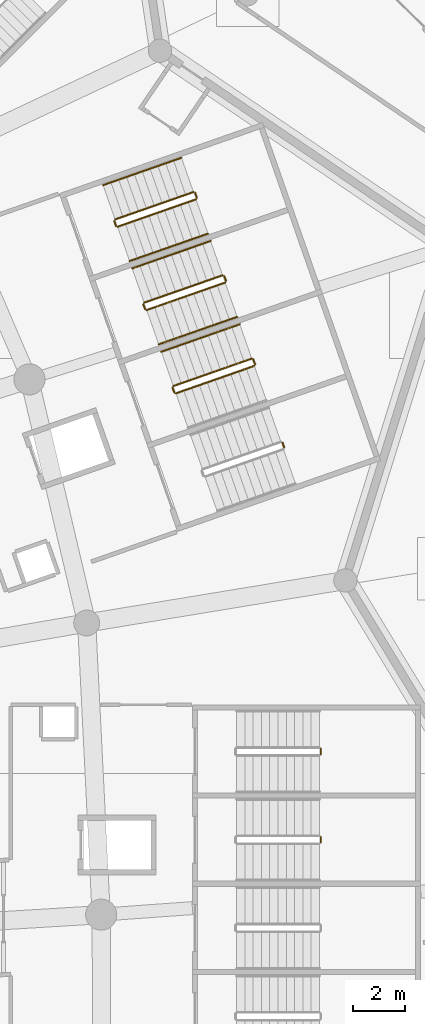
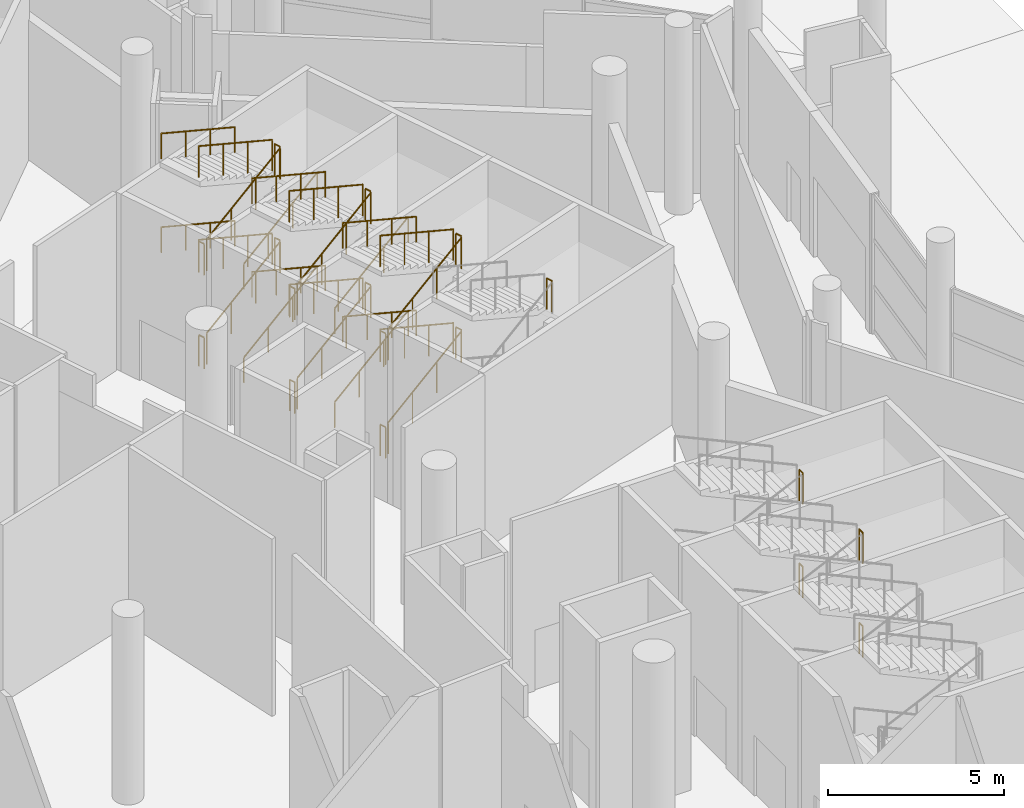
# One storey, part 245 of 255: 39 railings.
"""IFC4 building model written with IfcOpenShell, lengths in metres."""

from ifc_helpers import new_model, si_unit, direction, frame, origin, origin_2d, place, context, subcontext, project, spatial, circle, extrude, material, type_object, element, save


model = new_model("IFC4")

# Units and contexts
model_context = context("Model", 3, precision=1e-05, world=origin(), true_north=direction((0.0, 1.0)))
body_context = subcontext(model_context, "Body", "Model", "MODEL_VIEW")
ifc_project = project(units=[si_unit("LENGTHUNIT", "METRE"), si_unit("AREAUNIT", "SQUARE_METRE"), si_unit("VOLUMEUNIT", "CUBIC_METRE"), si_unit("PLANEANGLEUNIT", "RADIAN"), si_unit("MASSUNIT", "GRAM", prefix="KILO")], contexts=[model_context])

# Site, building, storey
site_placement = place(None, origin())
site = spatial("IfcSite", under=ifc_project, at=site_placement, CompositionType="ELEMENT")
building_placement = place(site_placement, origin())
building = spatial("IfcBuilding", under=site, at=building_placement, Name="Meseta Stadium", CompositionType="ELEMENT")
storey_placement = place(building_placement, origin())
storey = spatial("IfcBuildingStorey", under=building, at=storey_placement, Name="L00", CompositionType="ELEMENT", Elevation=0.0)

# Railings
ifc_material_1 = material(Name="Steel S355", Category="steel")
railing_type_1 = type_object("IfcRailingType", Name="Stair guard 1100", PredefinedType="GUARDRAIL", material=ifc_material_1)
for number, where, name in (
    (1, (93.35009765625, 45.35009765625, 1.625), "ST19 L00 guard 2"),
    (2, (93.35009765625, 45.35009765625, 4.875), "ST19 L00 guard 6"),
    (3, (93.35009765625, 48.75, 1.625), "ST20 L00 guard 2"),
    (4, (93.35009765625, 48.75, 4.875), "ST20 L00 guard 6"),
):
    element("IfcRailing", number, at=place(storey_placement, frame(where)), inside=storey, type_object=railing_type_1, Name=name, PredefinedType="GUARDRAIL", context=body_context, shape_type="SweptSolid", body=[
        extrude(circle(Radius=0.02392578125, at=origin_2d()), frame((0.0, 0.0, 1.076171875), z_axis=(0.0, 1.0, 0.0), x_axis=(-1.0, 0.0, 0.0)), (0.0, 0.0, 1.0), 0.199951171875),
        extrude(circle(Radius=0.02099609375, at=origin_2d()), origin(), (0.0, 0.0, 1.0), 1.052001953125),
        extrude(circle(Radius=0.02099609375, at=origin_2d()), frame((0.0, 0.199951171875, 0.0)), (0.0, 0.0, 1.0), 1.052001953125),
    ])
railing_1_placement = place(storey_placement, frame((91.9384765625, 60.5654296875, 4.875)))
element("IfcRailing", 5, at=railing_1_placement, inside=storey, type_object=railing_type_1, Name="ST21 L00 guard 6", PredefinedType="GUARDRAIL", context=body_context, shape_type="SweptSolid", body=[
    extrude(circle(Radius=0.02392578125, at=origin_2d()), frame((0.0, 0.0, 1.076171875), z_axis=(-0.330839792317, 0.943686935281, 0.0), x_axis=(-0.943686935281, -0.330839792317, 0.0)), (0.0, 0.0, 1.0), 0.199951171875),
    extrude(circle(Radius=0.02099609375, at=origin_2d()), origin(), (0.0, 0.0, 1.0), 1.052001953125),
    extrude(circle(Radius=0.02099609375, at=origin_2d()), frame((-0.066162109375, 0.188720703125, 0.0)), (0.0, 0.0, 1.0), 1.052001953125),
])
railing_2_placement = place(storey_placement, frame((87.764404296875, 62.654052734375, 0.147705078125)))
element("IfcRailing", 6, at=railing_2_placement, inside=storey, type_object=railing_type_1, Name="ST22 L00 guard 1", PredefinedType="GUARDRAIL", context=body_context, shape_type="SweptSolid", body=[
    extrude(circle(Radius=0.02392578125, at=origin_2d()), frame((0.0, 0.0, 1.076171875), z_axis=(0.856958151566, 0.299876472244, 0.419162054412), x_axis=(-0.330292648585, 0.943878576031, 0.0)), (0.0, 0.0, 1.0), 3.5244140625),
    extrude(circle(Radius=0.02099609375, at=origin_2d()), origin(), (0.0, 0.0, 1.0), 1.052001953125),
    extrude(circle(Radius=0.02099609375, at=origin_2d()), frame((1.0068359375, 0.352294921875, 0.492431640625)), (0.0, 0.0, 1.0), 1.052001953125),
    extrude(circle(Radius=0.02099609375, at=origin_2d()), frame((2.013427734375, 0.70458984375, 0.98486328125)), (0.0, 0.0, 1.0), 1.052001953125),
    extrude(circle(Radius=0.02099609375, at=origin_2d()), frame((3.020263671875, 1.056884765625, 1.477294921875)), (0.0, 0.0, 1.0), 1.052001953125),
])
railing_3_placement = place(storey_placement, frame((90.8154296875, 63.774658203125, 1.625)))
element("IfcRailing", 7, at=railing_3_placement, inside=storey, type_object=railing_type_1, Name="ST22 L00 guard 2", PredefinedType="GUARDRAIL", context=body_context, shape_type="SweptSolid", body=[
    extrude(circle(Radius=0.02392578125, at=origin_2d()), frame((0.0, 0.0, 1.076171875), z_axis=(-0.330839792317, 0.943686935281, 0.0), x_axis=(-0.943686935281, -0.330839792317, 0.0)), (0.0, 0.0, 1.0), 0.199951171875),
    extrude(circle(Radius=0.02099609375, at=origin_2d()), origin(), (0.0, 0.0, 1.0), 1.052001953125),
    extrude(circle(Radius=0.02099609375, at=origin_2d()), frame((-0.066162109375, 0.188720703125, 0.0)), (0.0, 0.0, 1.0), 1.052001953125),
])
railing_4_placement = place(storey_placement, frame((90.685791015625, 63.994140625, 1.772705078125)))
element("IfcRailing", 8, at=railing_4_placement, inside=storey, type_object=railing_type_1, Name="ST22 L00 guard 3", PredefinedType="GUARDRAIL", context=body_context, shape_type="SweptSolid", body=[
    extrude(circle(Radius=0.02392578125, at=origin_2d()), frame((0.0, 0.0, 1.076171875), z_axis=(-0.856976550022, -0.299858671601, 0.419137172986), x_axis=(0.330268863922, -0.943886898693, 0.0)), (0.0, 0.0, 1.0), 3.524658203125),
    extrude(circle(Radius=0.02099609375, at=origin_2d()), origin(), (0.0, 0.0, 1.0), 1.052001953125),
    extrude(circle(Radius=0.02099609375, at=origin_2d()), frame((-1.0068359375, -0.352294921875, 0.492431640625)), (0.0, 0.0, 1.0), 1.052001953125),
    extrude(circle(Radius=0.02099609375, at=origin_2d()), frame((-2.013671875, -0.70458984375, 0.98486328125)), (0.0, 0.0, 1.0), 1.052001953125),
    extrude(circle(Radius=0.02099609375, at=origin_2d()), frame((-3.0205078125, -1.056884765625, 1.477294921875)), (0.0, 0.0, 1.0), 1.052001953125),
])
railing_5_placement = place(storey_placement, frame((87.70068359375, 62.6845703125, 3.25)))
element("IfcRailing", 9, at=railing_5_placement, inside=storey, type_object=railing_type_1, Name="ST22 L00 guard 4", PredefinedType="GUARDRAIL", context=body_context, shape_type="SweptSolid", body=[
    extrude(circle(Radius=0.02392578125, at=origin_2d()), frame((0.0, 0.0, 1.076171875), z_axis=(-0.330459055601, 0.943820328543, 0.0), x_axis=(-0.943820328543, -0.330459055601, 0.0)), (0.0, 0.0, 1.0), 0.2001953125),
    extrude(circle(Radius=0.02099609375, at=origin_2d()), origin(), (0.0, 0.0, 1.0), 1.052001953125),
    extrude(circle(Radius=0.02099609375, at=origin_2d()), frame((-0.066162109375, 0.18896484375, 0.0)), (0.0, 0.0, 1.0), 1.052001953125),
])
railing_6_placement = place(storey_placement, frame((87.764404296875, 62.654052734375, 3.397705078125)))
element("IfcRailing", 10, at=railing_6_placement, inside=storey, type_object=railing_type_1, Name="ST22 L00 guard 5", PredefinedType="GUARDRAIL", context=body_context, shape_type="SweptSolid", body=[
    extrude(circle(Radius=0.02392578125, at=origin_2d()), frame((0.0, 0.0, 1.076171875), z_axis=(0.856958151566, 0.299876472244, 0.419162054412), x_axis=(-0.330292648585, 0.943878576031, 0.0)), (0.0, 0.0, 1.0), 3.5244140625),
    extrude(circle(Radius=0.02099609375, at=origin_2d()), origin(), (0.0, 0.0, 1.0), 1.052001953125),
    extrude(circle(Radius=0.02099609375, at=origin_2d()), frame((1.0068359375, 0.352294921875, 0.492431640625)), (0.0, 0.0, 1.0), 1.052001953125),
    extrude(circle(Radius=0.02099609375, at=origin_2d()), frame((2.013427734375, 0.70458984375, 0.98486328125)), (0.0, 0.0, 1.0), 1.052001953125),
    extrude(circle(Radius=0.02099609375, at=origin_2d()), frame((3.020263671875, 1.056884765625, 1.477294921875)), (0.0, 0.0, 1.0), 1.052001953125),
])
railing_7_placement = place(storey_placement, frame((90.8154296875, 63.774658203125, 4.875)))
element("IfcRailing", 11, at=railing_7_placement, inside=storey, type_object=railing_type_1, Name="ST22 L00 guard 6", PredefinedType="GUARDRAIL", context=body_context, shape_type="SweptSolid", body=[
    extrude(circle(Radius=0.02392578125, at=origin_2d()), frame((0.0, 0.0, 1.076171875), z_axis=(-0.330839792317, 0.943686935281, 0.0), x_axis=(-0.943686935281, -0.330839792317, 0.0)), (0.0, 0.0, 1.0), 0.199951171875),
    extrude(circle(Radius=0.02099609375, at=origin_2d()), origin(), (0.0, 0.0, 1.0), 1.052001953125),
    extrude(circle(Radius=0.02099609375, at=origin_2d()), frame((-0.066162109375, 0.188720703125, 0.0)), (0.0, 0.0, 1.0), 1.052001953125),
])
railing_8_placement = place(storey_placement, frame((90.685791015625, 63.994140625, 5.022705078125)))
element("IfcRailing", 12, at=railing_8_placement, inside=storey, type_object=railing_type_1, Name="ST22 L00 guard 7", PredefinedType="GUARDRAIL", context=body_context, shape_type="SweptSolid", body=[
    extrude(circle(Radius=0.02392578125, at=origin_2d()), frame((0.0, 0.0, 1.076171875), z_axis=(-0.856976550022, -0.299858671601, 0.419137172986), x_axis=(0.330268863922, -0.943886898693, 0.0)), (0.0, 0.0, 1.0), 3.524658203125),
    extrude(circle(Radius=0.02099609375, at=origin_2d()), origin(), (0.0, 0.0, 1.0), 1.052001953125),
    extrude(circle(Radius=0.02099609375, at=origin_2d()), frame((-1.0068359375, -0.352294921875, 0.492431640625)), (0.0, 0.0, 1.0), 1.052001953125),
    extrude(circle(Radius=0.02099609375, at=origin_2d()), frame((-2.013671875, -0.70458984375, 0.98486328125)), (0.0, 0.0, 1.0), 1.052001953125),
    extrude(circle(Radius=0.02099609375, at=origin_2d()), frame((-3.0205078125, -1.056884765625, 1.477294921875)), (0.0, 0.0, 1.0), 1.052001953125),
])
railing_9_placement = place(storey_placement, frame((87.70068359375, 62.6845703125, 0.0)))
element("IfcRailing", 13, at=railing_9_placement, inside=storey, type_object=railing_type_1, Name="ST22 L00 guard 8", PredefinedType="GUARDRAIL", context=body_context, shape_type="SweptSolid", body=[
    extrude(circle(Radius=0.02392578125, at=origin_2d()), frame((0.0, 0.0, 1.076171875), z_axis=(-0.330459055601, 0.943820328543, 0.0), x_axis=(-0.943820328543, -0.330459055601, 0.0)), (0.0, 0.0, 1.0), 0.2001953125),
    extrude(circle(Radius=0.02099609375, at=origin_2d()), origin(), (0.0, 0.0, 1.0), 1.052001953125),
    extrude(circle(Radius=0.02099609375, at=origin_2d()), frame((-0.066162109375, 0.18896484375, 0.0)), (0.0, 0.0, 1.0), 1.052001953125),
])
railing_10_placement = place(storey_placement, frame((86.641357421875, 65.86328125, 0.147705078125)))
element("IfcRailing", 14, at=railing_10_placement, inside=storey, type_object=railing_type_1, Name="ST23 L00 guard 1", PredefinedType="GUARDRAIL", context=body_context, shape_type="SweptSolid", body=[
    extrude(circle(Radius=0.02392578125, at=origin_2d()), frame((0.0, 0.0, 1.076171875), z_axis=(0.856976550022, 0.299858671601, 0.419137172986), x_axis=(-0.330268863922, 0.943886898693, 0.0)), (0.0, 0.0, 1.0), 3.524658203125),
    extrude(circle(Radius=0.02099609375, at=origin_2d()), origin(), (0.0, 0.0, 1.0), 1.052001953125),
    extrude(circle(Radius=0.02099609375, at=origin_2d()), frame((1.0068359375, 0.352294921875, 0.492431640625)), (0.0, 0.0, 1.0), 1.052001953125),
    extrude(circle(Radius=0.02099609375, at=origin_2d()), frame((2.013671875, 0.70458984375, 0.98486328125)), (0.0, 0.0, 1.0), 1.052001953125),
    extrude(circle(Radius=0.02099609375, at=origin_2d()), frame((3.0205078125, 1.056884765625, 1.477294921875)), (0.0, 0.0, 1.0), 1.052001953125),
])
railing_11_placement = place(storey_placement, frame((89.6923828125, 66.98388671875, 1.625)))
element("IfcRailing", 15, at=railing_11_placement, inside=storey, type_object=railing_type_1, Name="ST23 L00 guard 2", PredefinedType="GUARDRAIL", context=body_context, shape_type="SweptSolid", body=[
    extrude(circle(Radius=0.02392578125, at=origin_2d()), frame((0.0, 0.0, 1.076171875), z_axis=(-0.329751946816, 0.944067610699, 0.0), x_axis=(-0.944067610699, -0.329751946816, 0.0)), (0.0, 0.0, 1.0), 0.199951171875),
    extrude(circle(Radius=0.02099609375, at=origin_2d()), origin(), (0.0, 0.0, 1.0), 1.052001953125),
    extrude(circle(Radius=0.02099609375, at=origin_2d()), frame((-0.06591796875, 0.188720703125, 0.0)), (0.0, 0.0, 1.0), 1.052001953125),
])
railing_12_placement = place(storey_placement, frame((89.562744140625, 67.203125, 1.772705078125)))
element("IfcRailing", 16, at=railing_12_placement, inside=storey, type_object=railing_type_1, Name="ST23 L00 guard 3", PredefinedType="GUARDRAIL", context=body_context, shape_type="SweptSolid", body=[
    extrude(circle(Radius=0.02392578125, at=origin_2d()), frame((0.0, 0.0, 1.076171875), z_axis=(-0.856976550022, -0.299858671601, 0.419137172986), x_axis=(0.330268863922, -0.943886898693, 0.0)), (0.0, 0.0, 1.0), 3.524658203125),
    extrude(circle(Radius=0.02099609375, at=origin_2d()), origin(), (0.0, 0.0, 1.0), 1.052001953125),
    extrude(circle(Radius=0.02099609375, at=origin_2d()), frame((-1.0068359375, -0.352294921875, 0.492431640625)), (0.0, 0.0, 1.0), 1.052001953125),
    extrude(circle(Radius=0.02099609375, at=origin_2d()), frame((-2.013671875, -0.70458984375, 0.98486328125)), (0.0, 0.0, 1.0), 1.052001953125),
    extrude(circle(Radius=0.02099609375, at=origin_2d()), frame((-3.0205078125, -1.056884765625, 1.477294921875)), (0.0, 0.0, 1.0), 1.052001953125),
])
railing_13_placement = place(storey_placement, frame((86.57763671875, 65.893798828125, 3.25)))
element("IfcRailing", 17, at=railing_13_placement, inside=storey, type_object=railing_type_1, Name="ST23 L00 guard 4", PredefinedType="GUARDRAIL", context=body_context, shape_type="SweptSolid", body=[
    extrude(circle(Radius=0.02392578125, at=origin_2d()), frame((0.0, 0.0, 1.076171875), z_axis=(-0.329372156318, 0.944200181446, 0.0), x_axis=(-0.944200181446, -0.329372156318, 0.0)), (0.0, 0.0, 1.0), 0.2001953125),
    extrude(circle(Radius=0.02099609375, at=origin_2d()), origin(), (0.0, 0.0, 1.0), 1.052001953125),
    extrude(circle(Radius=0.02099609375, at=origin_2d()), frame((-0.06591796875, 0.18896484375, 0.0)), (0.0, 0.0, 1.0), 1.052001953125),
])
railing_14_placement = place(storey_placement, frame((86.641357421875, 65.86328125, 3.397705078125)))
element("IfcRailing", 18, at=railing_14_placement, inside=storey, type_object=railing_type_1, Name="ST23 L00 guard 5", PredefinedType="GUARDRAIL", context=body_context, shape_type="SweptSolid", body=[
    extrude(circle(Radius=0.02392578125, at=origin_2d()), frame((0.0, 0.0, 1.076171875), z_axis=(0.856976550022, 0.299858671601, 0.419137172986), x_axis=(-0.330268863922, 0.943886898693, 0.0)), (0.0, 0.0, 1.0), 3.524658203125),
    extrude(circle(Radius=0.02099609375, at=origin_2d()), origin(), (0.0, 0.0, 1.0), 1.052001953125),
    extrude(circle(Radius=0.02099609375, at=origin_2d()), frame((1.0068359375, 0.352294921875, 0.492431640625)), (0.0, 0.0, 1.0), 1.052001953125),
    extrude(circle(Radius=0.02099609375, at=origin_2d()), frame((2.013671875, 0.70458984375, 0.98486328125)), (0.0, 0.0, 1.0), 1.052001953125),
    extrude(circle(Radius=0.02099609375, at=origin_2d()), frame((3.0205078125, 1.056884765625, 1.477294921875)), (0.0, 0.0, 1.0), 1.052001953125),
])
railing_15_placement = place(storey_placement, frame((89.6923828125, 66.98388671875, 4.875)))
element("IfcRailing", 19, at=railing_15_placement, inside=storey, type_object=railing_type_1, Name="ST23 L00 guard 6", PredefinedType="GUARDRAIL", context=body_context, shape_type="SweptSolid", body=[
    extrude(circle(Radius=0.02392578125, at=origin_2d()), frame((0.0, 0.0, 1.076171875), z_axis=(-0.329751946816, 0.944067610699, 0.0), x_axis=(-0.944067610699, -0.329751946816, 0.0)), (0.0, 0.0, 1.0), 0.199951171875),
    extrude(circle(Radius=0.02099609375, at=origin_2d()), origin(), (0.0, 0.0, 1.0), 1.052001953125),
    extrude(circle(Radius=0.02099609375, at=origin_2d()), frame((-0.06591796875, 0.188720703125, 0.0)), (0.0, 0.0, 1.0), 1.052001953125),
])
railing_16_placement = place(storey_placement, frame((89.562744140625, 67.203125, 5.022705078125)))
element("IfcRailing", 20, at=railing_16_placement, inside=storey, type_object=railing_type_1, Name="ST23 L00 guard 7", PredefinedType="GUARDRAIL", context=body_context, shape_type="SweptSolid", body=[
    extrude(circle(Radius=0.02392578125, at=origin_2d()), frame((0.0, 0.0, 1.076171875), z_axis=(-0.856976550022, -0.299858671601, 0.419137172986), x_axis=(0.330268863922, -0.943886898693, 0.0)), (0.0, 0.0, 1.0), 3.524658203125),
    extrude(circle(Radius=0.02099609375, at=origin_2d()), origin(), (0.0, 0.0, 1.0), 1.052001953125),
    extrude(circle(Radius=0.02099609375, at=origin_2d()), frame((-1.0068359375, -0.352294921875, 0.492431640625)), (0.0, 0.0, 1.0), 1.052001953125),
    extrude(circle(Radius=0.02099609375, at=origin_2d()), frame((-2.013671875, -0.70458984375, 0.98486328125)), (0.0, 0.0, 1.0), 1.052001953125),
    extrude(circle(Radius=0.02099609375, at=origin_2d()), frame((-3.0205078125, -1.056884765625, 1.477294921875)), (0.0, 0.0, 1.0), 1.052001953125),
])
railing_17_placement = place(storey_placement, frame((86.57763671875, 65.893798828125, 0.0)))
element("IfcRailing", 21, at=railing_17_placement, inside=storey, type_object=railing_type_1, Name="ST23 L00 guard 8", PredefinedType="GUARDRAIL", context=body_context, shape_type="SweptSolid", body=[
    extrude(circle(Radius=0.02392578125, at=origin_2d()), frame((0.0, 0.0, 1.076171875), z_axis=(-0.329372156318, 0.944200181446, 0.0), x_axis=(-0.944200181446, -0.329372156318, 0.0)), (0.0, 0.0, 1.0), 0.2001953125),
    extrude(circle(Radius=0.02099609375, at=origin_2d()), origin(), (0.0, 0.0, 1.0), 1.052001953125),
    extrude(circle(Radius=0.02099609375, at=origin_2d()), frame((-0.06591796875, 0.18896484375, 0.0)), (0.0, 0.0, 1.0), 1.052001953125),
])
railing_18_placement = place(storey_placement, frame((85.518310546875, 69.072509765625, 0.147705078125)))
element("IfcRailing", 22, at=railing_18_placement, inside=storey, type_object=railing_type_1, Name="ST24 L00 guard 1", PredefinedType="GUARDRAIL", context=body_context, shape_type="SweptSolid", body=[
    extrude(circle(Radius=0.02392578125, at=origin_2d()), frame((0.0, 0.0, 1.076171875), z_axis=(0.856976550022, 0.299858671601, 0.419137172986), x_axis=(-0.330268863922, 0.943886898693, 0.0)), (0.0, 0.0, 1.0), 3.524658203125),
    extrude(circle(Radius=0.02099609375, at=origin_2d()), origin(), (0.0, 0.0, 1.0), 1.052001953125),
    extrude(circle(Radius=0.02099609375, at=origin_2d()), frame((1.0068359375, 0.352294921875, 0.492431640625)), (0.0, 0.0, 1.0), 1.052001953125),
    extrude(circle(Radius=0.02099609375, at=origin_2d()), frame((2.013671875, 0.70458984375, 0.98486328125)), (0.0, 0.0, 1.0), 1.052001953125),
    extrude(circle(Radius=0.02099609375, at=origin_2d()), frame((3.0205078125, 1.056884765625, 1.477294921875)), (0.0, 0.0, 1.0), 1.052001953125),
])
railing_19_placement = place(storey_placement, frame((88.569580078125, 70.19287109375, 1.625)))
element("IfcRailing", 23, at=railing_19_placement, inside=storey, type_object=railing_type_1, Name="ST24 L00 guard 2", PredefinedType="GUARDRAIL", context=body_context, shape_type="SweptSolid", body=[
    extrude(circle(Radius=0.02392578125, at=origin_2d()), frame((0.0, 0.0, 1.076171875), z_axis=(-0.330459055601, 0.943820328543, 0.0), x_axis=(-0.943820328543, -0.330459055601, 0.0)), (0.0, 0.0, 1.0), 0.2001953125),
    extrude(circle(Radius=0.02099609375, at=origin_2d()), origin(), (0.0, 0.0, 1.0), 1.052001953125),
    extrude(circle(Radius=0.02099609375, at=origin_2d()), frame((-0.066162109375, 0.18896484375, 0.0)), (0.0, 0.0, 1.0), 1.052001953125),
])
railing_20_placement = place(storey_placement, frame((88.439697265625, 70.412353515625, 1.772705078125)))
element("IfcRailing", 24, at=railing_20_placement, inside=storey, type_object=railing_type_1, Name="ST24 L00 guard 3", PredefinedType="GUARDRAIL", context=body_context, shape_type="SweptSolid", body=[
    extrude(circle(Radius=0.02392578125, at=origin_2d()), frame((0.0, 0.0, 1.076171875), z_axis=(-0.856958151566, -0.299876472244, 0.419162054412), x_axis=(0.330292648585, -0.943878576031, 0.0)), (0.0, 0.0, 1.0), 3.5244140625),
    extrude(circle(Radius=0.02099609375, at=origin_2d()), origin(), (0.0, 0.0, 1.0), 1.052001953125),
    extrude(circle(Radius=0.02099609375, at=origin_2d()), frame((-1.0068359375, -0.352294921875, 0.492431640625)), (0.0, 0.0, 1.0), 1.052001953125),
    extrude(circle(Radius=0.02099609375, at=origin_2d()), frame((-2.013427734375, -0.70458984375, 0.98486328125)), (0.0, 0.0, 1.0), 1.052001953125),
    extrude(circle(Radius=0.02099609375, at=origin_2d()), frame((-3.020263671875, -1.056884765625, 1.477294921875)), (0.0, 0.0, 1.0), 1.052001953125),
])
railing_21_placement = place(storey_placement, frame((85.454833984375, 69.10302734375, 3.25)))
element("IfcRailing", 25, at=railing_21_placement, inside=storey, type_object=railing_type_1, Name="ST24 L00 guard 4", PredefinedType="GUARDRAIL", context=body_context, shape_type="SweptSolid", body=[
    extrude(circle(Radius=0.02392578125, at=origin_2d()), frame((0.0, 0.0, 1.076171875), z_axis=(-0.330839792317, 0.943686935281, 0.0), x_axis=(-0.943686935281, -0.330839792317, 0.0)), (0.0, 0.0, 1.0), 0.199951171875),
    extrude(circle(Radius=0.02099609375, at=origin_2d()), origin(), (0.0, 0.0, 1.0), 1.052001953125),
    extrude(circle(Radius=0.02099609375, at=origin_2d()), frame((-0.066162109375, 0.188720703125, 0.0)), (0.0, 0.0, 1.0), 1.052001953125),
])
railing_22_placement = place(storey_placement, frame((85.518310546875, 69.072509765625, 3.397705078125)))
element("IfcRailing", 26, at=railing_22_placement, inside=storey, type_object=railing_type_1, Name="ST24 L00 guard 5", PredefinedType="GUARDRAIL", context=body_context, shape_type="SweptSolid", body=[
    extrude(circle(Radius=0.02392578125, at=origin_2d()), frame((0.0, 0.0, 1.076171875), z_axis=(0.856976550022, 0.299858671601, 0.419137172986), x_axis=(-0.330268863922, 0.943886898693, 0.0)), (0.0, 0.0, 1.0), 3.524658203125),
    extrude(circle(Radius=0.02099609375, at=origin_2d()), origin(), (0.0, 0.0, 1.0), 1.052001953125),
    extrude(circle(Radius=0.02099609375, at=origin_2d()), frame((1.0068359375, 0.352294921875, 0.492431640625)), (0.0, 0.0, 1.0), 1.052001953125),
    extrude(circle(Radius=0.02099609375, at=origin_2d()), frame((2.013671875, 0.70458984375, 0.98486328125)), (0.0, 0.0, 1.0), 1.052001953125),
    extrude(circle(Radius=0.02099609375, at=origin_2d()), frame((3.0205078125, 1.056884765625, 1.477294921875)), (0.0, 0.0, 1.0), 1.052001953125),
])
railing_23_placement = place(storey_placement, frame((88.569580078125, 70.19287109375, 4.875)))
element("IfcRailing", 27, at=railing_23_placement, inside=storey, type_object=railing_type_1, Name="ST24 L00 guard 6", PredefinedType="GUARDRAIL", context=body_context, shape_type="SweptSolid", body=[
    extrude(circle(Radius=0.02392578125, at=origin_2d()), frame((0.0, 0.0, 1.076171875), z_axis=(-0.330459055601, 0.943820328543, 0.0), x_axis=(-0.943820328543, -0.330459055601, 0.0)), (0.0, 0.0, 1.0), 0.2001953125),
    extrude(circle(Radius=0.02099609375, at=origin_2d()), origin(), (0.0, 0.0, 1.0), 1.052001953125),
    extrude(circle(Radius=0.02099609375, at=origin_2d()), frame((-0.066162109375, 0.18896484375, 0.0)), (0.0, 0.0, 1.0), 1.052001953125),
])
railing_24_placement = place(storey_placement, frame((88.439697265625, 70.412353515625, 5.022705078125)))
element("IfcRailing", 28, at=railing_24_placement, inside=storey, type_object=railing_type_1, Name="ST24 L00 guard 7", PredefinedType="GUARDRAIL", context=body_context, shape_type="SweptSolid", body=[
    extrude(circle(Radius=0.02392578125, at=origin_2d()), frame((0.0, 0.0, 1.076171875), z_axis=(-0.856958151566, -0.299876472244, 0.419162054412), x_axis=(0.330292648585, -0.943878576031, 0.0)), (0.0, 0.0, 1.0), 3.5244140625),
    extrude(circle(Radius=0.02099609375, at=origin_2d()), origin(), (0.0, 0.0, 1.0), 1.052001953125),
    extrude(circle(Radius=0.02099609375, at=origin_2d()), frame((-1.0068359375, -0.352294921875, 0.492431640625)), (0.0, 0.0, 1.0), 1.052001953125),
    extrude(circle(Radius=0.02099609375, at=origin_2d()), frame((-2.013427734375, -0.70458984375, 0.98486328125)), (0.0, 0.0, 1.0), 1.052001953125),
    extrude(circle(Radius=0.02099609375, at=origin_2d()), frame((-3.020263671875, -1.056884765625, 1.477294921875)), (0.0, 0.0, 1.0), 1.052001953125),
])
railing_25_placement = place(storey_placement, frame((85.454833984375, 69.10302734375, 0.0)))
element("IfcRailing", 29, at=railing_25_placement, inside=storey, type_object=railing_type_1, Name="ST24 L00 guard 8", PredefinedType="GUARDRAIL", context=body_context, shape_type="SweptSolid", body=[
    extrude(circle(Radius=0.02392578125, at=origin_2d()), frame((0.0, 0.0, 1.076171875), z_axis=(-0.330839792317, 0.943686935281, 0.0), x_axis=(-0.943686935281, -0.330839792317, 0.0)), (0.0, 0.0, 1.0), 0.199951171875),
    extrude(circle(Radius=0.02099609375, at=origin_2d()), origin(), (0.0, 0.0, 1.0), 1.052001953125),
    extrude(circle(Radius=0.02099609375, at=origin_2d()), frame((-0.066162109375, 0.188720703125, 0.0)), (0.0, 0.0, 1.0), 1.052001953125),
])
ifc_material_2 = material(Name="Steel S355", Category="steel")
railing_type_2 = type_object("IfcRailingType", Name="Stair handrail 900", PredefinedType="HANDRAIL", material=ifc_material_2)
for number, where, name in (
    (30, (90.223388671875, 65.3154296875, 1.772705078125), "ST22 L00 handrail 2"),
    (31, (90.223388671875, 65.3154296875, 5.022705078125), "ST22 L00 handrail 4"),
):
    element("IfcRailing", number, at=place(storey_placement, frame(where)), inside=storey, type_object=railing_type_2, Name=name, PredefinedType="HANDRAIL", context=body_context, shape_type="SweptSolid", body=[
        extrude(circle(Radius=0.02392578125, at=origin_2d()), frame((0.0, 0.0, 0.8759765625), z_axis=(-0.856976550022, -0.299858671601, 0.419137172986), x_axis=(0.330268863922, -0.943886898693, 0.0)), (0.0, 0.0, 1.0), 3.524658203125),
        extrude(circle(Radius=0.02099609375, at=origin_2d()), origin(), (0.0, 0.0, 1.0), 0.851806640625),
        extrude(circle(Radius=0.02099609375, at=origin_2d()), frame((-1.0068359375, -0.352294921875, 0.492431640625)), (0.0, 0.0, 1.0), 0.851806640625),
        extrude(circle(Radius=0.02099609375, at=origin_2d()), frame((-2.013671875, -0.70458984375, 0.98486328125)), (0.0, 0.0, 1.0), 0.851806640625),
        extrude(circle(Radius=0.02099609375, at=origin_2d()), frame((-3.0205078125, -1.056884765625, 1.477294921875)), (0.0, 0.0, 1.0), 0.851806640625),
    ])
railing_26_placement = place(storey_placement, frame((87.103759765625, 64.541748046875, 0.147705078125)))
element("IfcRailing", 32, at=railing_26_placement, inside=storey, type_object=railing_type_2, Name="ST23 L00 handrail 1", PredefinedType="HANDRAIL", context=body_context, shape_type="SweptSolid", body=[
    extrude(circle(Radius=0.02392578125, at=origin_2d()), frame((0.0, 0.0, 0.8759765625), z_axis=(0.856976550022, 0.299858671601, 0.419137172986), x_axis=(-0.330268863922, 0.943886898693, 0.0)), (0.0, 0.0, 1.0), 3.524658203125),
    extrude(circle(Radius=0.02099609375, at=origin_2d()), origin(), (0.0, 0.0, 1.0), 0.851806640625),
    extrude(circle(Radius=0.02099609375, at=origin_2d()), frame((1.0068359375, 0.352294921875, 0.492431640625)), (0.0, 0.0, 1.0), 0.851806640625),
    extrude(circle(Radius=0.02099609375, at=origin_2d()), frame((2.013671875, 0.70458984375, 0.98486328125)), (0.0, 0.0, 1.0), 0.851806640625),
    extrude(circle(Radius=0.02099609375, at=origin_2d()), frame((3.0205078125, 1.056884765625, 1.477294921875)), (0.0, 0.0, 1.0), 0.851806640625),
])
railing_27_placement = place(storey_placement, frame((89.100341796875, 68.524658203125, 1.772705078125)))
element("IfcRailing", 33, at=railing_27_placement, inside=storey, type_object=railing_type_2, Name="ST23 L00 handrail 2", PredefinedType="HANDRAIL", context=body_context, shape_type="SweptSolid", body=[
    extrude(circle(Radius=0.02392578125, at=origin_2d()), frame((0.0, 0.0, 0.8759765625), z_axis=(-0.856976550022, -0.299858671601, 0.419137172986), x_axis=(0.330268863922, -0.943886898693, 0.0)), (0.0, 0.0, 1.0), 3.524658203125),
    extrude(circle(Radius=0.02099609375, at=origin_2d()), origin(), (0.0, 0.0, 1.0), 0.851806640625),
    extrude(circle(Radius=0.02099609375, at=origin_2d()), frame((-1.0068359375, -0.352294921875, 0.492431640625)), (0.0, 0.0, 1.0), 0.851806640625),
    extrude(circle(Radius=0.02099609375, at=origin_2d()), frame((-2.013671875, -0.70458984375, 0.98486328125)), (0.0, 0.0, 1.0), 0.851806640625),
    extrude(circle(Radius=0.02099609375, at=origin_2d()), frame((-3.0205078125, -1.056884765625, 1.477294921875)), (0.0, 0.0, 1.0), 0.851806640625),
])
railing_28_placement = place(storey_placement, frame((87.103759765625, 64.541748046875, 3.397705078125)))
element("IfcRailing", 34, at=railing_28_placement, inside=storey, type_object=railing_type_2, Name="ST23 L00 handrail 3", PredefinedType="HANDRAIL", context=body_context, shape_type="SweptSolid", body=[
    extrude(circle(Radius=0.02392578125, at=origin_2d()), frame((0.0, 0.0, 0.8759765625), z_axis=(0.856976550022, 0.299858671601, 0.419137172986), x_axis=(-0.330268863922, 0.943886898693, 0.0)), (0.0, 0.0, 1.0), 3.524658203125),
    extrude(circle(Radius=0.02099609375, at=origin_2d()), origin(), (0.0, 0.0, 1.0), 0.851806640625),
    extrude(circle(Radius=0.02099609375, at=origin_2d()), frame((1.0068359375, 0.352294921875, 0.492431640625)), (0.0, 0.0, 1.0), 0.851806640625),
    extrude(circle(Radius=0.02099609375, at=origin_2d()), frame((2.013671875, 0.70458984375, 0.98486328125)), (0.0, 0.0, 1.0), 0.851806640625),
    extrude(circle(Radius=0.02099609375, at=origin_2d()), frame((3.0205078125, 1.056884765625, 1.477294921875)), (0.0, 0.0, 1.0), 0.851806640625),
])
railing_29_placement = place(storey_placement, frame((89.100341796875, 68.524658203125, 5.022705078125)))
element("IfcRailing", 35, at=railing_29_placement, inside=storey, type_object=railing_type_2, Name="ST23 L00 handrail 4", PredefinedType="HANDRAIL", context=body_context, shape_type="SweptSolid", body=[
    extrude(circle(Radius=0.02392578125, at=origin_2d()), frame((0.0, 0.0, 0.8759765625), z_axis=(-0.856976550022, -0.299858671601, 0.419137172986), x_axis=(0.330268863922, -0.943886898693, 0.0)), (0.0, 0.0, 1.0), 3.524658203125),
    extrude(circle(Radius=0.02099609375, at=origin_2d()), origin(), (0.0, 0.0, 1.0), 0.851806640625),
    extrude(circle(Radius=0.02099609375, at=origin_2d()), frame((-1.0068359375, -0.352294921875, 0.492431640625)), (0.0, 0.0, 1.0), 0.851806640625),
    extrude(circle(Radius=0.02099609375, at=origin_2d()), frame((-2.013671875, -0.70458984375, 0.98486328125)), (0.0, 0.0, 1.0), 0.851806640625),
    extrude(circle(Radius=0.02099609375, at=origin_2d()), frame((-3.0205078125, -1.056884765625, 1.477294921875)), (0.0, 0.0, 1.0), 0.851806640625),
])
railing_30_placement = place(storey_placement, frame((85.980712890625, 67.7509765625, 0.147705078125)))
element("IfcRailing", 36, at=railing_30_placement, inside=storey, type_object=railing_type_2, Name="ST24 L00 handrail 1", PredefinedType="HANDRAIL", context=body_context, shape_type="SweptSolid", body=[
    extrude(circle(Radius=0.02392578125, at=origin_2d()), frame((0.0, 0.0, 0.8759765625), z_axis=(0.856976550022, 0.299858671601, 0.419137172986), x_axis=(-0.330268863922, 0.943886898693, 0.0)), (0.0, 0.0, 1.0), 3.524658203125),
    extrude(circle(Radius=0.02099609375, at=origin_2d()), origin(), (0.0, 0.0, 1.0), 0.851806640625),
    extrude(circle(Radius=0.02099609375, at=origin_2d()), frame((1.0068359375, 0.352294921875, 0.492431640625)), (0.0, 0.0, 1.0), 0.851806640625),
    extrude(circle(Radius=0.02099609375, at=origin_2d()), frame((2.013671875, 0.70458984375, 0.98486328125)), (0.0, 0.0, 1.0), 0.851806640625),
    extrude(circle(Radius=0.02099609375, at=origin_2d()), frame((3.0205078125, 1.056884765625, 1.477294921875)), (0.0, 0.0, 1.0), 0.851806640625),
])
railing_31_placement = place(storey_placement, frame((87.977294921875, 71.73388671875, 1.772705078125)))
element("IfcRailing", 37, at=railing_31_placement, inside=storey, type_object=railing_type_2, Name="ST24 L00 handrail 2", PredefinedType="HANDRAIL", context=body_context, shape_type="SweptSolid", body=[
    extrude(circle(Radius=0.02392578125, at=origin_2d()), frame((0.0, 0.0, 0.8759765625), z_axis=(-0.856958151566, -0.299876472244, 0.419162054412), x_axis=(0.330292648585, -0.943878576031, 0.0)), (0.0, 0.0, 1.0), 3.5244140625),
    extrude(circle(Radius=0.02099609375, at=origin_2d()), origin(), (0.0, 0.0, 1.0), 0.851806640625),
    extrude(circle(Radius=0.02099609375, at=origin_2d()), frame((-1.0068359375, -0.352294921875, 0.492431640625)), (0.0, 0.0, 1.0), 0.851806640625),
    extrude(circle(Radius=0.02099609375, at=origin_2d()), frame((-2.013427734375, -0.70458984375, 0.98486328125)), (0.0, 0.0, 1.0), 0.851806640625),
    extrude(circle(Radius=0.02099609375, at=origin_2d()), frame((-3.020263671875, -1.056884765625, 1.477294921875)), (0.0, 0.0, 1.0), 0.851806640625),
])
railing_32_placement = place(storey_placement, frame((85.980712890625, 67.7509765625, 3.397705078125)))
element("IfcRailing", 38, at=railing_32_placement, inside=storey, type_object=railing_type_2, Name="ST24 L00 handrail 3", PredefinedType="HANDRAIL", context=body_context, shape_type="SweptSolid", body=[
    extrude(circle(Radius=0.02392578125, at=origin_2d()), frame((0.0, 0.0, 0.8759765625), z_axis=(0.856976550022, 0.299858671601, 0.419137172986), x_axis=(-0.330268863922, 0.943886898693, 0.0)), (0.0, 0.0, 1.0), 3.524658203125),
    extrude(circle(Radius=0.02099609375, at=origin_2d()), origin(), (0.0, 0.0, 1.0), 0.851806640625),
    extrude(circle(Radius=0.02099609375, at=origin_2d()), frame((1.0068359375, 0.352294921875, 0.492431640625)), (0.0, 0.0, 1.0), 0.851806640625),
    extrude(circle(Radius=0.02099609375, at=origin_2d()), frame((2.013671875, 0.70458984375, 0.98486328125)), (0.0, 0.0, 1.0), 0.851806640625),
    extrude(circle(Radius=0.02099609375, at=origin_2d()), frame((3.0205078125, 1.056884765625, 1.477294921875)), (0.0, 0.0, 1.0), 0.851806640625),
])
railing_33_placement = place(storey_placement, frame((87.977294921875, 71.73388671875, 5.022705078125)))
element("IfcRailing", 39, at=railing_33_placement, inside=storey, type_object=railing_type_2, Name="ST24 L00 handrail 4", PredefinedType="HANDRAIL", context=body_context, shape_type="SweptSolid", body=[
    extrude(circle(Radius=0.02392578125, at=origin_2d()), frame((0.0, 0.0, 0.8759765625), z_axis=(-0.856958151566, -0.299876472244, 0.419162054412), x_axis=(0.330292648585, -0.943878576031, 0.0)), (0.0, 0.0, 1.0), 3.5244140625),
    extrude(circle(Radius=0.02099609375, at=origin_2d()), origin(), (0.0, 0.0, 1.0), 0.851806640625),
    extrude(circle(Radius=0.02099609375, at=origin_2d()), frame((-1.0068359375, -0.352294921875, 0.492431640625)), (0.0, 0.0, 1.0), 0.851806640625),
    extrude(circle(Radius=0.02099609375, at=origin_2d()), frame((-2.013427734375, -0.70458984375, 0.98486328125)), (0.0, 0.0, 1.0), 0.851806640625),
    extrude(circle(Radius=0.02099609375, at=origin_2d()), frame((-3.020263671875, -1.056884765625, 1.477294921875)), (0.0, 0.0, 1.0), 0.851806640625),
])

save(model, "model.ifc")
